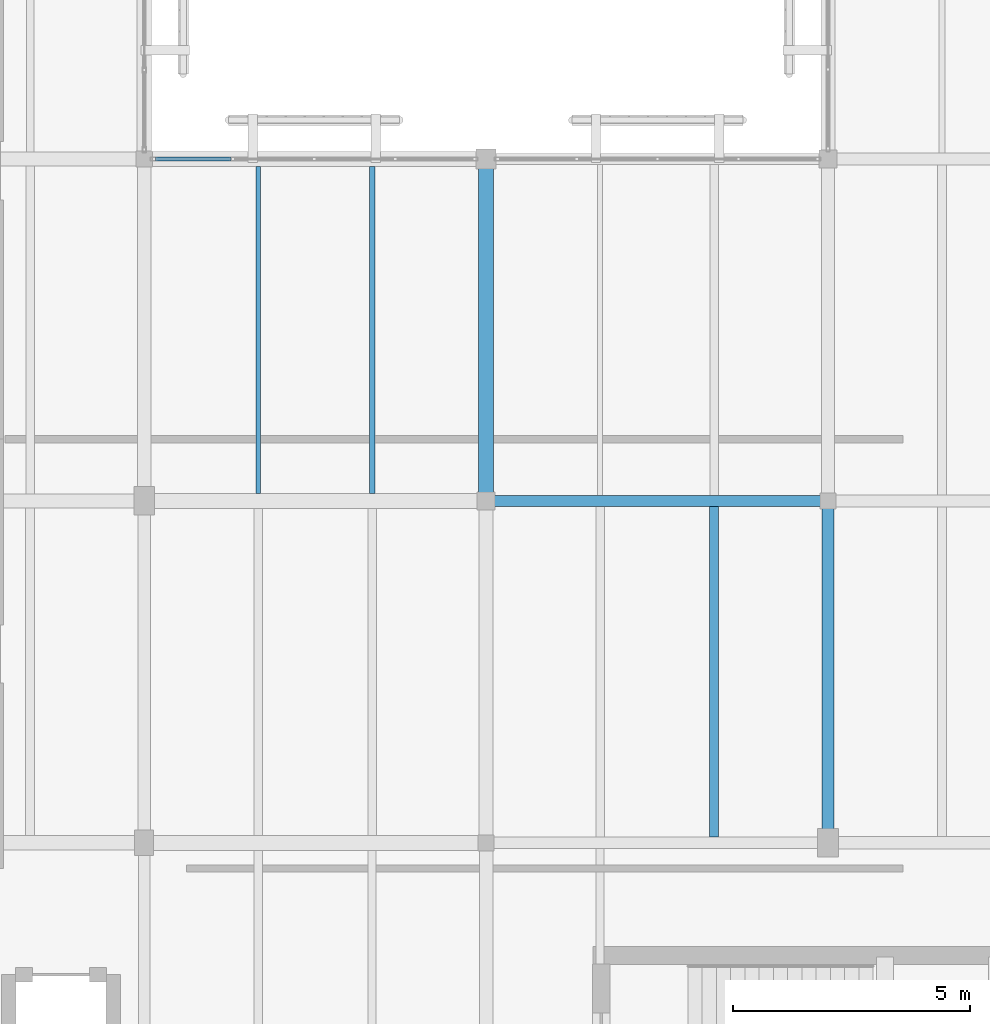
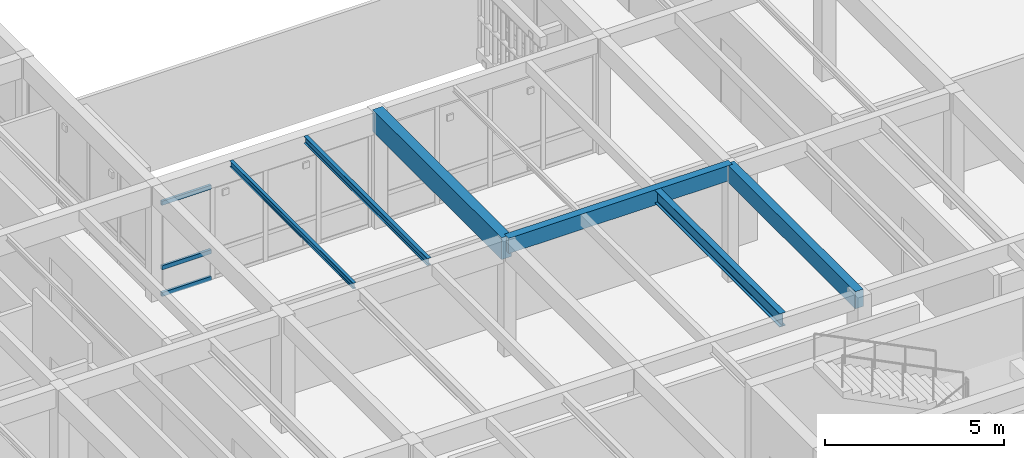
# One storey, part 11 of 61: 6 beams, 3 members, 1 element without a shape of its own.
"""IFC4 building model written with IfcOpenShell, lengths in metres."""

from ifc_helpers import new_model, si_unit, direction, frame, origin, origin_2d, place, context, subcontext, project, spatial, rectangle, hollow_rectangle, i_section, extrude, material, layer, layer_set, material_profile, profile_set, type_object, element, aggregate, save


model = new_model("IFC4")

# Units and contexts
model_context = context("Model", 3, precision=1e-05, world=origin(), true_north=direction((0.0, 1.0)))
body_context = subcontext(model_context, "Body", "Model", "MODEL_VIEW")
ifc_project = project(units=[si_unit("LENGTHUNIT", "METRE"), si_unit("AREAUNIT", "SQUARE_METRE"), si_unit("VOLUMEUNIT", "CUBIC_METRE"), si_unit("PLANEANGLEUNIT", "RADIAN"), si_unit("MASSUNIT", "GRAM", prefix="KILO")], contexts=[model_context])

# Site, building, storey
site_placement = place(None, origin())
site = spatial("IfcSite", under=ifc_project, at=site_placement, CompositionType="ELEMENT")
building_placement = place(site_placement, origin())
building = spatial("IfcBuilding", under=site, at=building_placement, Name="Mazaris Harbour Polytechnic", CompositionType="ELEMENT")
storey_placement = place(building_placement, frame((0.0, 0.0, 18.0)))
storey = spatial("IfcBuildingStorey", under=building, at=storey_placement, Name="L04", CompositionType="ELEMENT", Elevation=18.0)

# Curtain wall, members
ifc_material_1 = material(Name="Anodised Bronze Aluminium and Low-E Glass", Category="aluminium")
ifc_layer = layer(ifc_material_1, 0.159912109375, Name="Anodised Bronze Aluminium and Low-E Glass")
ifc_layer_set = layer_set([ifc_layer], Name="Anodised Bronze Aluminium and Low-E Glass")
curtain_wall_type = type_object("IfcCurtainWallType", Name="Cloister Court Curtain Wall", PredefinedType="NOTDEFINED", material=ifc_layer_set)
curtain_wall_placement = place(storey_placement, origin())
curtain_wall = element("IfcCurtainWall", 1, at=curtain_wall_placement, inside=storey, type_object=curtain_wall_type, Name="V4 L04 Curtain Wall 167", PredefinedType="NOTDEFINED")
ifc_material_2 = material(Name="Anodised Bronze Steel S355", Category="steel")
ifc_material_profile_1 = material_profile(ifc_material_2, hollow_rectangle(XDim=0.080078125, YDim=0.139892578125, WallThickness=0.00634765625, at=origin_2d()), Name="RHS 80x140x6.3")
ifc_profile_set_1 = profile_set([ifc_material_profile_1], Name="Anodised Bronze Steel S355")
member_type = type_object("IfcMemberType", Name="Curtain Transom RHS80x140", PredefinedType="USERDEFINED", material=ifc_profile_set_1)
member_1_placement = place(storey_placement, frame((14.64208984375, 36.0, 0.0400390625), z_axis=(1.0, 0.0, 0.0), x_axis=(0.0, 1.0, 0.0)))
member_1 = element("IfcMember", 2, at=member_1_placement, type_object=member_type, Name="CW-02 transom 1.1", ObjectType="TRANSOM", PredefinedType="USERDEFINED", context=body_context, shape_type="SweptSolid", body=[
    extrude(hollow_rectangle(XDim=0.080078125, YDim=0.139892578125, WallThickness=0.00634765625, at=origin_2d()), origin(), (0.0, 0.0, 1.0), 1.5888671875),
])
member_2_placement = place(storey_placement, frame((14.64208984375, 36.0, 0.949951171875), z_axis=(1.0, 0.0, 0.0), x_axis=(0.0, 1.0, 0.0)))
member_2 = element("IfcMember", 3, at=member_2_placement, type_object=member_type, Name="CW-02 transom 1.2", ObjectType="TRANSOM", PredefinedType="USERDEFINED", context=body_context, shape_type="SweptSolid", body=[
    extrude(hollow_rectangle(XDim=0.080078125, YDim=0.139892578125, WallThickness=0.00634765625, at=origin_2d()), origin(), (0.0, 0.0, 1.0), 1.5888671875),
])
member_3_placement = place(storey_placement, frame((14.64208984375, 36.0, 3.14501953125), z_axis=(1.0, 0.0, 0.0), x_axis=(0.0, 1.0, 0.0)))
member_3 = element("IfcMember", 4, at=member_3_placement, type_object=member_type, Name="CW-02 transom 1.3", ObjectType="TRANSOM", PredefinedType="USERDEFINED", context=body_context, shape_type="SweptSolid", body=[
    extrude(hollow_rectangle(XDim=0.080078125, YDim=0.139892578125, WallThickness=0.00634765625, at=origin_2d()), origin(), (0.0, 0.0, 1.0), 1.5888671875),
])
aggregate(curtain_wall, [member_1, member_2, member_3])

# Beams
ifc_material_3 = material(Name="Glulam GL32h", Category="wood")
ifc_material_profile_2 = material_profile(ifc_material_3, rectangle(XDim=0.239990234375, YDim=0.52001953125, at=origin_2d()), Name="RECT240x520")
ifc_profile_set_2 = profile_set([ifc_material_profile_2], Name="Glulam GL32h")
beam_type_1 = type_object("IfcBeamType", Name="Glulam Girder 240x520", PredefinedType="BEAM", material=ifc_profile_set_2)
beam_1_placement = place(storey_placement, frame((21.60009765625, 28.800048828125, 3.675048828125), z_axis=(1.0, 0.0, 0.0), x_axis=(0.0, 1.0, 0.0)))
element("IfcBeam", 5, at=beam_1_placement, inside=storey, type_object=beam_type_1, Name="V4 L04 Girder 2380", PredefinedType="BEAM", context=body_context, shape_type="SweptSolid", body=[
    extrude(rectangle(XDim=0.239990234375, YDim=0.52001953125, at=origin_2d()), origin(), (0.0, 0.0, 1.0), 7.199951171875),
])
ifc_material_4 = material(Name="Glulam GL32h", Category="wood")
ifc_material_profile_3 = material_profile(ifc_material_4, rectangle(XDim=0.260009765625, YDim=0.580078125, at=origin_2d()), Name="RECT260x580")
ifc_profile_set_3 = profile_set([ifc_material_profile_3], Name="Glulam GL32h")
beam_type_2 = type_object("IfcBeamType", Name="Glulam Girder 260x580", PredefinedType="BEAM", material=ifc_profile_set_3)
beam_2_placement = place(storey_placement, frame((28.800048828125, 21.60009765625, 3.64501953125), z_axis=(0.0, 1.0, 0.0), x_axis=(-1.0, 0.0, 0.0)))
element("IfcBeam", 6, at=beam_2_placement, inside=storey, type_object=beam_type_2, Name="V4 L04 Tie Girder 2421", PredefinedType="BEAM", context=body_context, shape_type="SweptSolid", body=[
    extrude(rectangle(XDim=0.260009765625, YDim=0.580078125, at=origin_2d()), origin(), (0.0, 0.0, 1.0), 7.199951171875),
])
ifc_material_5 = material(Name="Glulam GL32h", Category="wood")
ifc_material_profile_4 = material_profile(ifc_material_5, rectangle(XDim=0.320068359375, YDim=0.739990234375, at=origin_2d()), Name="RECT320x740")
ifc_profile_set_4 = profile_set([ifc_material_profile_4], Name="Glulam GL32h")
beam_type_3 = type_object("IfcBeamType", Name="Glulam Girder 320x740", PredefinedType="BEAM", material=ifc_profile_set_4)
beam_3_placement = place(storey_placement, frame((21.60009765625, 28.800048828125, 3.56494140625), z_axis=(0.0, 1.0, 0.0), x_axis=(-1.0, 0.0, 0.0)))
element("IfcBeam", 7, at=beam_3_placement, inside=storey, type_object=beam_type_3, Name="V4 L04 Tie Girder 2419", PredefinedType="BEAM", context=body_context, shape_type="SweptSolid", body=[
    extrude(rectangle(XDim=0.320068359375, YDim=0.739990234375, at=origin_2d()), origin(), (0.0, 0.0, 1.0), 7.199951171875),
])
ifc_material_6 = material(Name="Steel S355", Category="steel")
ifc_material_profile_5 = material_profile(ifc_material_6, i_section(OverallWidth=0.10009765625, OverallDepth=0.199951171875, WebThickness=0.005615234375, FlangeThickness=0.008544921875, FilletRadius=0.011962890625, at=origin_2d()), Name="IPE 200")
ifc_profile_set_5 = profile_set([ifc_material_profile_5], Name="Steel S355")
beam_type_4 = type_object("IfcBeamType", Name="Steel Joist IPE200", PredefinedType="JOIST", material=ifc_profile_set_5)
beam_4_placement = place(storey_placement, frame((16.800048828125, 28.9599609375, 3.8349609375), z_axis=(0.0, 1.0, 0.0), x_axis=(-1.0, 0.0, 0.0)))
element("IfcBeam", 8, at=beam_4_placement, inside=storey, type_object=beam_type_4, Name="V4 L04 Floor Joist 2464", PredefinedType="JOIST", context=body_context, shape_type="SweptSolid", body=[
    extrude(i_section(OverallWidth=0.10009765625, OverallDepth=0.199951171875, WebThickness=0.005615234375, FlangeThickness=0.008544921875, FilletRadius=0.011962890625, at=origin_2d()), origin(), (0.0, 0.0, 1.0), 6.880126953125),
])
ifc_material_7 = material(Name="Steel S355", Category="steel")
ifc_material_profile_6 = material_profile(ifc_material_7, i_section(OverallWidth=0.1201171875, OverallDepth=0.239990234375, WebThickness=0.006103515625, FlangeThickness=0.009765625, FilletRadius=0.014892578125, at=origin_2d()), Name="IPE 240")
ifc_profile_set_6 = profile_set([ifc_material_profile_6], Name="Steel S355")
beam_type_5 = type_object("IfcBeamType", Name="Steel Joist IPE240", PredefinedType="JOIST", material=ifc_profile_set_6)
beam_5_placement = place(storey_placement, frame((19.199951171875, 28.9599609375, 3.81494140625), z_axis=(0.0, 1.0, 0.0), x_axis=(-1.0, 0.0, 0.0)))
element("IfcBeam", 9, at=beam_5_placement, inside=storey, type_object=beam_type_5, Name="V4 L04 Floor Joist 2465", PredefinedType="JOIST", context=body_context, shape_type="SweptSolid", body=[
    extrude(i_section(OverallWidth=0.1201171875, OverallDepth=0.239990234375, WebThickness=0.006103515625, FlangeThickness=0.009765625, FilletRadius=0.014892578125, at=origin_2d()), origin(), (0.0, 0.0, 1.0), 6.880126953125),
])
ifc_material_8 = material(Name="Steel S355", Category="steel")
ifc_material_profile_7 = material_profile(ifc_material_8, i_section(OverallWidth=0.18994140625, OverallDepth=0.449951171875, WebThickness=0.009521484375, FlangeThickness=0.0146484375, FilletRadius=0.02099609375, at=origin_2d()), Name="IPE 450")
ifc_profile_set_7 = profile_set([ifc_material_profile_7], Name="Steel S355")
beam_type_6 = type_object("IfcBeamType", Name="Steel Joist IPE450", PredefinedType="JOIST", material=ifc_profile_set_7)
beam_6_placement = place(storey_placement, frame((26.39990234375, 21.719970703125, 3.7099609375), z_axis=(0.0, 1.0, 0.0), x_axis=(-1.0, 0.0, 0.0)))
element("IfcBeam", 10, at=beam_6_placement, inside=storey, type_object=beam_type_6, Name="V4 L04 Floor Joist 2470", PredefinedType="JOIST", context=body_context, shape_type="SweptSolid", body=[
    extrude(i_section(OverallWidth=0.18994140625, OverallDepth=0.449951171875, WebThickness=0.009521484375, FlangeThickness=0.0146484375, FilletRadius=0.02099609375, at=origin_2d()), origin(), (0.0, 0.0, 1.0), 6.9599609375),
])

save(model, "model.ifc")
